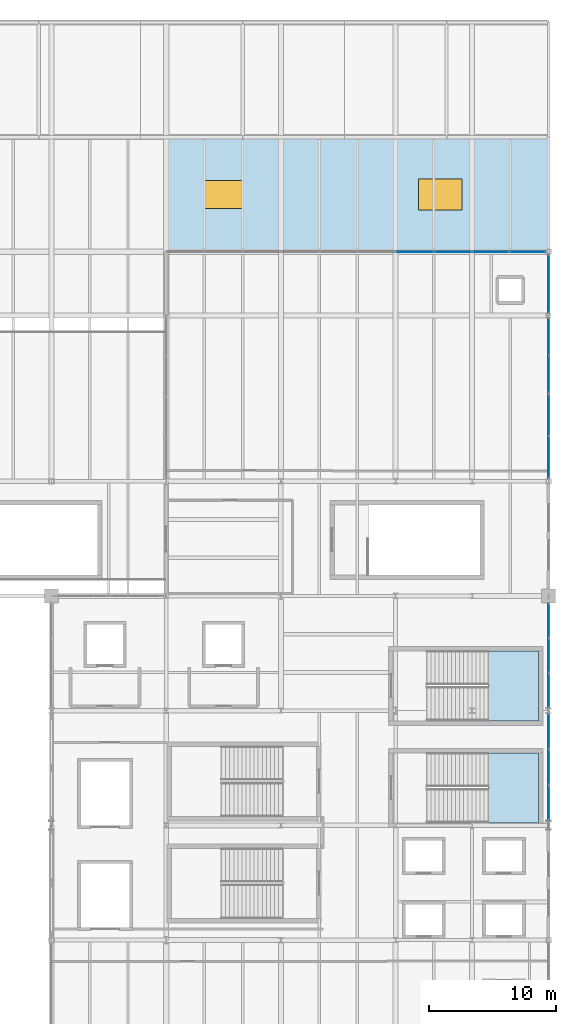
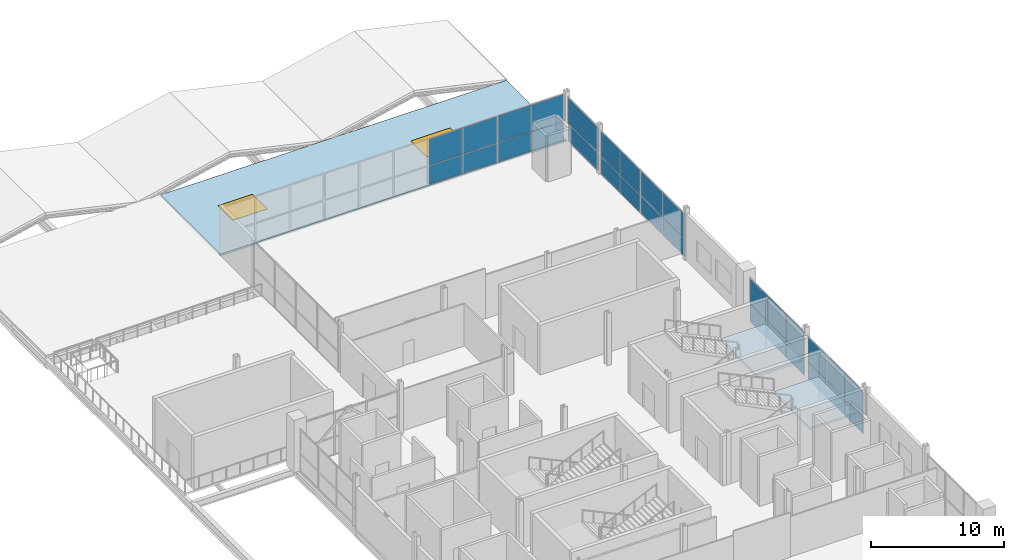
# One storey, part 36 of 50: 30 plates, 3 slabs, 2 windows, 2 openings, 9 elements without a shape of their own.
"""IFC4 building model written with IfcOpenShell, lengths in metres."""

from ifc_helpers import new_model, si_unit, direction, frame, origin, origin_2d, place, context, subcontext, project, spatial, polyline, rectangle, outline, extrude, material, layer, layer_set, type_object, element, fill, aggregate, save


model = new_model("IFC4")

# Units and contexts
model_context = context("Model", 3, precision=1e-05, world=origin(), true_north=direction((0.0, 1.0)))
body_context = subcontext(model_context, "Body", "Model", "MODEL_VIEW")
ifc_project = project(units=[si_unit("LENGTHUNIT", "METRE"), si_unit("AREAUNIT", "SQUARE_METRE"), si_unit("VOLUMEUNIT", "CUBIC_METRE"), si_unit("PLANEANGLEUNIT", "RADIAN"), si_unit("MASSUNIT", "GRAM", prefix="KILO")], contexts=[model_context])

# Site, building, storey
site_placement = place(None, origin())
site = spatial("IfcSite", under=ifc_project, at=site_placement, CompositionType="ELEMENT")
building_placement = place(site_placement, origin())
building = spatial("IfcBuilding", under=site, at=building_placement, Name="Qamarlyn Nura Convention Centre", CompositionType="ELEMENT")
storey_placement = place(building_placement, frame((0.0, 0.0, 20.39990234375)))
storey = spatial("IfcBuildingStorey", under=building, at=storey_placement, Name="L04", CompositionType="ELEMENT", Elevation=20.39990234375)

# Curtain wall, plates
ifc_material_1 = material(Name="Double-silver low-E insulated glass", Category="glass")
ifc_layer_1 = layer(ifc_material_1, 0.179931640625, Name="CW-UNIT-137")
ifc_layer_set_1 = layer_set([ifc_layer_1], Name="Double-silver low-E insulated glass")
curtain_wall_type_1 = type_object("IfcCurtainWallType", Name="CW-UNIT-137", PredefinedType="NOTDEFINED", material=ifc_layer_set_1)
curtain_wall_1_placement = place(storey_placement, origin())
curtain_wall_1 = element("IfcCurtainWall", 1, at=curtain_wall_1_placement, inside=storey, type_object=curtain_wall_type_1, Name="L04 unitised curtain wall EAST-8-1", PredefinedType="NOTDEFINED")
ifc_layer_2 = layer(ifc_material_1, 0.028076171875, Name="CWP-VIS-28")
ifc_layer_set_2 = layer_set([ifc_layer_2], Name="Double-silver low-E insulated glass")
plate_type_1 = type_object("IfcPlateType", Name="CWP-VIS-28", PredefinedType="CURTAIN_PANEL", material=ifc_layer_set_2)
plate_1_placement = place(storey_placement, frame((192.0, 70.36328125, 0.0703125), z_axis=(0.0, 0.0, 1.0), x_axis=(0.0, -1.0, 0.0)))
plate_1 = element("IfcPlate", 2, at=plate_1_placement, type_object=plate_type_1, Name="CW137 panel 1.1", PredefinedType="CURTAIN_PANEL", context=body_context, shape_type="SweptSolid", body=[
    extrude(rectangle(XDim=2.708251953125, YDim=0.028076171875, at=origin_2d()), origin(), (0.0, 0.0, 1.0), 1.577880859375),
])
plate_2_placement = place(storey_placement, frame((192.0, 70.36328125, 1.71826171875), z_axis=(0.0, 0.0, 1.0), x_axis=(0.0, -1.0, 0.0)))
plate_2 = element("IfcPlate", 3, at=plate_2_placement, type_object=plate_type_1, Name="CW137 panel 1.2", PredefinedType="CURTAIN_PANEL", context=body_context, shape_type="SweptSolid", body=[
    extrude(rectangle(XDim=2.708251953125, YDim=0.028076171875, at=origin_2d()), origin(), (0.0, 0.0, 1.0), 2.218017578125),
])
plate_3_placement = place(storey_placement, frame((192.0, 67.5673828125, 0.0703125), z_axis=(0.0, 0.0, 1.0), x_axis=(0.0, -1.0, 0.0)))
plate_3 = element("IfcPlate", 4, at=plate_3_placement, type_object=plate_type_1, Name="CW137 panel 2.1", PredefinedType="CURTAIN_PANEL", context=body_context, shape_type="SweptSolid", body=[
    extrude(rectangle(XDim=2.743408203125, YDim=0.028076171875, at=origin_2d()), origin(), (0.0, 0.0, 1.0), 1.577880859375),
])
plate_4_placement = place(storey_placement, frame((192.0, 67.5673828125, 1.71826171875), z_axis=(0.0, 0.0, 1.0), x_axis=(0.0, -1.0, 0.0)))
plate_4 = element("IfcPlate", 5, at=plate_4_placement, type_object=plate_type_1, Name="CW137 panel 2.2", PredefinedType="CURTAIN_PANEL", context=body_context, shape_type="SweptSolid", body=[
    extrude(rectangle(XDim=2.743408203125, YDim=0.028076171875, at=origin_2d()), origin(), (0.0, 0.0, 1.0), 2.218017578125),
])
plate_5_placement = place(storey_placement, frame((192.0, 64.771728515625, 0.0703125), z_axis=(0.0, 0.0, 1.0), x_axis=(0.0, -1.0, 0.0)))
plate_5 = element("IfcPlate", 6, at=plate_5_placement, type_object=plate_type_1, Name="CW137 panel 3.1", PredefinedType="CURTAIN_PANEL", context=body_context, shape_type="SweptSolid", body=[
    extrude(rectangle(XDim=2.708251953125, YDim=0.028076171875, at=origin_2d()), origin(), (0.0, 0.0, 1.0), 1.577880859375),
])
plate_6_placement = place(storey_placement, frame((192.0, 64.771728515625, 1.71826171875), z_axis=(0.0, 0.0, 1.0), x_axis=(0.0, -1.0, 0.0)))
plate_6 = element("IfcPlate", 7, at=plate_6_placement, type_object=plate_type_1, Name="CW137 panel 3.2", PredefinedType="CURTAIN_PANEL", context=body_context, shape_type="SweptSolid", body=[
    extrude(rectangle(XDim=2.708251953125, YDim=0.028076171875, at=origin_2d()), origin(), (0.0, 0.0, 1.0), 2.218017578125),
])
aggregate(curtain_wall_1, [plate_1, plate_2, plate_3, plate_4, plate_5, plate_6])

ifc_layer_3 = layer(ifc_material_1, 0.179931640625, Name="CW-UNIT-138")
ifc_layer_set_3 = layer_set([ifc_layer_3], Name="Double-silver low-E insulated glass")
curtain_wall_type_2 = type_object("IfcCurtainWallType", Name="CW-UNIT-138", PredefinedType="NOTDEFINED", material=ifc_layer_set_3)
curtain_wall_2_placement = place(storey_placement, origin())
curtain_wall_2 = element("IfcCurtainWall", 8, at=curtain_wall_2_placement, inside=storey, type_object=curtain_wall_type_2, Name="L04 unitised curtain wall EAST-11-1A", PredefinedType="NOTDEFINED")
plate_7_placement = place(storey_placement, frame((192.0, 101.336669921875, 0.06005859375), z_axis=(0.0, 0.0, 1.0), x_axis=(0.0, -1.0, 0.0)))
plate_7 = element("IfcPlate", 9, at=plate_7_placement, type_object=plate_type_1, Name="CW138 panel 1.1", PredefinedType="CURTAIN_PANEL", context=body_context, shape_type="SweptSolid", body=[
    extrude(rectangle(XDim=2.85693359375, YDim=0.028076171875, at=origin_2d()), origin(), (0.0, 0.0, 1.0), 1.593017578125),
])
plate_8_placement = place(storey_placement, frame((192.0, 101.336669921875, 1.713134765625), z_axis=(0.0, 0.0, 1.0), x_axis=(0.0, -1.0, 0.0)))
plate_8 = element("IfcPlate", 10, at=plate_8_placement, type_object=plate_type_1, Name="CW138 panel 1.2", PredefinedType="CURTAIN_PANEL", context=body_context, shape_type="SweptSolid", body=[
    extrude(rectangle(XDim=2.85693359375, YDim=0.028076171875, at=origin_2d()), origin(), (0.0, 0.0, 1.0), 2.23291015625),
])
plate_9_placement = place(storey_placement, frame((192.0, 98.419677734375, 0.06005859375), z_axis=(0.0, 0.0, 1.0), x_axis=(0.0, -1.0, 0.0)))
plate_9 = element("IfcPlate", 11, at=plate_9_placement, type_object=plate_type_1, Name="CW138 panel 2.1", PredefinedType="CURTAIN_PANEL", context=body_context, shape_type="SweptSolid", body=[
    extrude(rectangle(XDim=2.85693359375, YDim=0.028076171875, at=origin_2d()), origin(), (0.0, 0.0, 1.0), 1.593017578125),
])
plate_10_placement = place(storey_placement, frame((192.0, 98.419677734375, 1.713134765625), z_axis=(0.0, 0.0, 1.0), x_axis=(0.0, -1.0, 0.0)))
plate_10 = element("IfcPlate", 12, at=plate_10_placement, type_object=plate_type_1, Name="CW138 panel 2.2", PredefinedType="CURTAIN_PANEL", context=body_context, shape_type="SweptSolid", body=[
    extrude(rectangle(XDim=2.85693359375, YDim=0.028076171875, at=origin_2d()), origin(), (0.0, 0.0, 1.0), 2.23291015625),
])
aggregate(curtain_wall_2, [plate_7, plate_8, plate_9, plate_10])

ifc_layer_4 = layer(ifc_material_1, 0.179931640625, Name="CW-UNIT-139")
ifc_layer_set_4 = layer_set([ifc_layer_4], Name="Double-silver low-E insulated glass")
curtain_wall_type_3 = type_object("IfcCurtainWallType", Name="CW-UNIT-139", PredefinedType="NOTDEFINED", material=ifc_layer_set_4)
curtain_wall_3_placement = place(storey_placement, origin())
curtain_wall_3 = element("IfcCurtainWall", 13, at=curtain_wall_3_placement, inside=storey, type_object=curtain_wall_type_3, Name="L04 unitised curtain wall EAST-11-1B", PredefinedType="NOTDEFINED")
plate_11_placement = place(storey_placement, frame((192.0, 95.1708984375, 0.0703125), z_axis=(0.0, 0.0, 1.0), x_axis=(0.0, -1.0, 0.0)))
plate_11 = element("IfcPlate", 14, at=plate_11_placement, type_object=plate_type_1, Name="CW139 panel 1.1", PredefinedType="CURTAIN_PANEL", context=body_context, shape_type="SweptSolid", body=[
    extrude(rectangle(XDim=3.220703125, YDim=0.028076171875, at=origin_2d()), origin(), (0.0, 0.0, 1.0), 1.577880859375),
])
plate_12_placement = place(storey_placement, frame((192.0, 95.1708984375, 1.71826171875), z_axis=(0.0, 0.0, 1.0), x_axis=(0.0, -1.0, 0.0)))
plate_12 = element("IfcPlate", 15, at=plate_12_placement, type_object=plate_type_1, Name="CW139 panel 1.2", PredefinedType="CURTAIN_PANEL", context=body_context, shape_type="SweptSolid", body=[
    extrude(rectangle(XDim=3.220703125, YDim=0.028076171875, at=origin_2d()), origin(), (0.0, 0.0, 1.0), 2.218017578125),
])
plate_13_placement = place(storey_placement, frame((192.0, 91.88037109375, 0.0703125), z_axis=(0.0, 0.0, 1.0), x_axis=(0.0, -1.0, 0.0)))
plate_13 = element("IfcPlate", 16, at=plate_13_placement, type_object=plate_type_1, Name="CW139 panel 2.1", PredefinedType="CURTAIN_PANEL", context=body_context, shape_type="SweptSolid", body=[
    extrude(rectangle(XDim=3.220703125, YDim=0.028076171875, at=origin_2d()), origin(), (0.0, 0.0, 1.0), 1.577880859375),
])
plate_14_placement = place(storey_placement, frame((192.0, 91.88037109375, 1.71826171875), z_axis=(0.0, 0.0, 1.0), x_axis=(0.0, -1.0, 0.0)))
plate_14 = element("IfcPlate", 17, at=plate_14_placement, type_object=plate_type_1, Name="CW139 panel 2.2", PredefinedType="CURTAIN_PANEL", context=body_context, shape_type="SweptSolid", body=[
    extrude(rectangle(XDim=3.220703125, YDim=0.028076171875, at=origin_2d()), origin(), (0.0, 0.0, 1.0), 2.218017578125),
])
aggregate(curtain_wall_3, [plate_11, plate_12, plate_13, plate_14])

ifc_layer_5 = layer(ifc_material_1, 0.179931640625, Name="CW-UNIT-140")
ifc_layer_set_5 = layer_set([ifc_layer_5], Name="Double-silver low-E insulated glass")
curtain_wall_type_4 = type_object("IfcCurtainWallType", Name="CW-UNIT-140", PredefinedType="NOTDEFINED", material=ifc_layer_set_5)
curtain_wall_4_placement = place(storey_placement, origin())
curtain_wall_4 = element("IfcCurtainWall", 18, at=curtain_wall_4_placement, inside=storey, type_object=curtain_wall_type_4, Name="L04 unitised curtain wall EAST-12-1", PredefinedType="NOTDEFINED")
plate_15_placement = place(storey_placement, frame((192.0, 105.487548828125, 0.06494140625), z_axis=(0.0, 0.0, 1.0), x_axis=(0.0, -1.0, 0.0)))
plate_15 = element("IfcPlate", 19, at=plate_15_placement, type_object=plate_type_1, Name="CW140 panel 1.1", PredefinedType="CURTAIN_PANEL", context=body_context, shape_type="SweptSolid", body=[
    extrude(rectangle(XDim=4.4951171875, YDim=0.028076171875, at=origin_2d()), origin(), (0.0, 0.0, 1.0), 1.615478515625),
])
plate_16_placement = place(storey_placement, frame((192.0, 105.487548828125, 1.74560546875), z_axis=(0.0, 0.0, 1.0), x_axis=(0.0, -1.0, 0.0)))
plate_16 = element("IfcPlate", 20, at=plate_16_placement, type_object=plate_type_1, Name="CW140 panel 1.2", PredefinedType="CURTAIN_PANEL", context=body_context, shape_type="SweptSolid", body=[
    extrude(rectangle(XDim=4.4951171875, YDim=0.028076171875, at=origin_2d()), origin(), (0.0, 0.0, 1.0), 2.2685546875),
])
aggregate(curtain_wall_4, [plate_15, plate_16])

ifc_layer_6 = layer(ifc_material_1, 0.179931640625, Name="CW-UNIT-150")
ifc_layer_set_6 = layer_set([ifc_layer_6], Name="Double-silver low-E insulated glass")
curtain_wall_type_5 = type_object("IfcCurtainWallType", Name="CW-UNIT-150", PredefinedType="NOTDEFINED", material=ifc_layer_set_6)
curtain_wall_5_placement = place(storey_placement, origin())
curtain_wall_5 = element("IfcCurtainWall", 21, at=curtain_wall_5_placement, inside=storey, type_object=curtain_wall_type_5, Name="L04 unitised curtain wall DLN-180-1", PredefinedType="NOTDEFINED")
plate_17_placement = place(storey_placement, frame((181.517578125, 108.0, 0.070068359375), z_axis=(0.0, 0.0, 1.0), x_axis=(1.0, 0.0, 0.0)))
plate_17 = element("IfcPlate", 22, at=plate_17_placement, type_object=plate_type_1, Name="CW150 panel 1.1", PredefinedType="CURTAIN_PANEL", context=body_context, shape_type="SweptSolid", body=[
    extrude(rectangle(XDim=2.89501953125, YDim=0.028076171875, at=origin_2d()), origin(), (0.0, 0.0, 1.0), 1.705078125),
])
plate_18_placement = place(storey_placement, frame((181.517578125, 108.0, 1.844970703125), z_axis=(0.0, 0.0, 1.0), x_axis=(1.0, 0.0, 0.0)))
plate_18 = element("IfcPlate", 23, at=plate_18_placement, type_object=plate_type_1, Name="CW150 panel 1.2", PredefinedType="CURTAIN_PANEL", context=body_context, shape_type="SweptSolid", body=[
    extrude(rectangle(XDim=2.89501953125, YDim=0.028076171875, at=origin_2d()), origin(), (0.0, 0.0, 1.0), 2.39501953125),
])
plate_19_placement = place(storey_placement, frame((184.482421875, 108.0, 0.070068359375), z_axis=(0.0, 0.0, 1.0), x_axis=(1.0, 0.0, 0.0)))
plate_19 = element("IfcPlate", 24, at=plate_19_placement, type_object=plate_type_1, Name="CW150 panel 2.1", PredefinedType="CURTAIN_PANEL", context=body_context, shape_type="SweptSolid", body=[
    extrude(rectangle(XDim=2.89501953125, YDim=0.028076171875, at=origin_2d()), origin(), (0.0, 0.0, 1.0), 1.705078125),
])
plate_20_placement = place(storey_placement, frame((184.482421875, 108.0, 1.844970703125), z_axis=(0.0, 0.0, 1.0), x_axis=(1.0, 0.0, 0.0)))
plate_20 = element("IfcPlate", 25, at=plate_20_placement, type_object=plate_type_1, Name="CW150 panel 2.2", PredefinedType="CURTAIN_PANEL", context=body_context, shape_type="SweptSolid", body=[
    extrude(rectangle(XDim=2.89501953125, YDim=0.028076171875, at=origin_2d()), origin(), (0.0, 0.0, 1.0), 2.39501953125),
])
aggregate(curtain_wall_5, [plate_17, plate_18, plate_19, plate_20])

ifc_layer_7 = layer(ifc_material_1, 0.179931640625, Name="CW-UNIT-151")
ifc_layer_set_7 = layer_set([ifc_layer_7], Name="Double-silver low-E insulated glass")
curtain_wall_type_6 = type_object("IfcCurtainWallType", Name="CW-UNIT-151", PredefinedType="NOTDEFINED", material=ifc_layer_set_7)
curtain_wall_6_placement = place(storey_placement, origin())
curtain_wall_6 = element("IfcCurtainWall", 26, at=curtain_wall_6_placement, inside=storey, type_object=curtain_wall_type_6, Name="L04 unitised curtain wall DLN-186-1", PredefinedType="NOTDEFINED")
plate_21_placement = place(storey_placement, frame((187.46630859375, 108.0, 0.065185546875), z_axis=(0.0, 0.0, 1.0), x_axis=(1.0, 0.0, 0.0)))
plate_21 = element("IfcPlate", 27, at=plate_21_placement, type_object=plate_type_1, Name="CW151 panel 1.1", PredefinedType="CURTAIN_PANEL", context=body_context, shape_type="SweptSolid", body=[
    extrude(rectangle(XDim=2.802490234375, YDim=0.028076171875, at=origin_2d()), origin(), (0.0, 0.0, 1.0), 1.71240234375),
])
plate_22_placement = place(storey_placement, frame((187.46630859375, 108.0, 1.8427734375), z_axis=(0.0, 0.0, 1.0), x_axis=(1.0, 0.0, 0.0)))
plate_22 = element("IfcPlate", 28, at=plate_22_placement, type_object=plate_type_1, Name="CW151 panel 1.2", PredefinedType="CURTAIN_PANEL", context=body_context, shape_type="SweptSolid", body=[
    extrude(rectangle(XDim=2.802490234375, YDim=0.028076171875, at=origin_2d()), origin(), (0.0, 0.0, 1.0), 2.402587890625),
])
plate_23_placement = place(storey_placement, frame((190.333740234375, 108.0, 0.065185546875), z_axis=(0.0, 0.0, 1.0), x_axis=(1.0, 0.0, 0.0)))
plate_23 = element("IfcPlate", 29, at=plate_23_placement, type_object=plate_type_1, Name="CW151 panel 2.1", PredefinedType="CURTAIN_PANEL", context=body_context, shape_type="SweptSolid", body=[
    extrude(rectangle(XDim=2.802490234375, YDim=0.028076171875, at=origin_2d()), origin(), (0.0, 0.0, 1.0), 1.71240234375),
])
plate_24_placement = place(storey_placement, frame((190.333740234375, 108.0, 1.8427734375), z_axis=(0.0, 0.0, 1.0), x_axis=(1.0, 0.0, 0.0)))
plate_24 = element("IfcPlate", 30, at=plate_24_placement, type_object=plate_type_1, Name="CW151 panel 2.2", PredefinedType="CURTAIN_PANEL", context=body_context, shape_type="SweptSolid", body=[
    extrude(rectangle(XDim=2.802490234375, YDim=0.028076171875, at=origin_2d()), origin(), (0.0, 0.0, 1.0), 2.402587890625),
])
aggregate(curtain_wall_6, [plate_21, plate_22, plate_23, plate_24])

ifc_layer_8 = layer(ifc_material_1, 0.179931640625, Name="CW-UNIT-136")
ifc_layer_set_8 = layer_set([ifc_layer_8], Name="Double-silver low-E insulated glass")
curtain_wall_type_7 = type_object("IfcCurtainWallType", Name="CW-UNIT-136", PredefinedType="NOTDEFINED", material=ifc_layer_set_8)
curtain_wall_7_placement = place(storey_placement, origin())
curtain_wall_7 = element("IfcCurtainWall", 31, at=curtain_wall_7_placement, inside=storey, type_object=curtain_wall_type_7, Name="L04 unitised curtain wall EAST-9-1", PredefinedType="NOTDEFINED")
ifc_layer_9 = layer(ifc_material_1, 0.031982421875, Name="CWP-VIS-32")
ifc_layer_set_9 = layer_set([ifc_layer_9], Name="Double-silver low-E insulated glass")
plate_type_2 = type_object("IfcPlateType", Name="CWP-VIS-32", PredefinedType="CURTAIN_PANEL", material=ifc_layer_set_9)
plate_25_placement = place(storey_placement, frame((192.0, 79.060791015625, 0.06494140625), z_axis=(0.0, 0.0, 1.0), x_axis=(0.0, -1.0, 0.0)))
plate_25 = element("IfcPlate", 32, at=plate_25_placement, type_object=plate_type_2, Name="CW136 panel 1.1", PredefinedType="CURTAIN_PANEL", context=body_context, shape_type="SweptSolid", body=[
    extrude(rectangle(XDim=2.6484375, YDim=0.031982421875, at=origin_2d()), origin(), (0.0, 0.0, 1.0), 1.615478515625),
])
plate_26_placement = place(storey_placement, frame((192.0, 79.060791015625, 1.74560546875), z_axis=(0.0, 0.0, 1.0), x_axis=(0.0, -1.0, 0.0)))
plate_26 = element("IfcPlate", 33, at=plate_26_placement, type_object=plate_type_2, Name="CW136 panel 1.2", PredefinedType="CURTAIN_PANEL", context=body_context, shape_type="SweptSolid", body=[
    extrude(rectangle(XDim=2.6484375, YDim=0.031982421875, at=origin_2d()), origin(), (0.0, 0.0, 1.0), 2.2685546875),
])
plate_27_placement = place(storey_placement, frame((192.0, 76.331298828125, 0.06494140625), z_axis=(0.0, 0.0, 1.0), x_axis=(0.0, -1.0, 0.0)))
plate_27 = element("IfcPlate", 34, at=plate_27_placement, type_object=plate_type_2, Name="CW136 panel 2.1", PredefinedType="CURTAIN_PANEL", context=body_context, shape_type="SweptSolid", body=[
    extrude(rectangle(XDim=2.680908203125, YDim=0.031982421875, at=origin_2d()), origin(), (0.0, 0.0, 1.0), 1.615478515625),
])
plate_28_placement = place(storey_placement, frame((192.0, 76.331298828125, 1.74560546875), z_axis=(0.0, 0.0, 1.0), x_axis=(0.0, -1.0, 0.0)))
plate_28 = element("IfcPlate", 35, at=plate_28_placement, type_object=plate_type_2, Name="CW136 panel 2.2", PredefinedType="CURTAIN_PANEL", context=body_context, shape_type="SweptSolid", body=[
    extrude(rectangle(XDim=2.680908203125, YDim=0.031982421875, at=origin_2d()), origin(), (0.0, 0.0, 1.0), 2.2685546875),
])
plate_29_placement = place(storey_placement, frame((192.0, 73.6015625, 0.06494140625), z_axis=(0.0, 0.0, 1.0), x_axis=(0.0, -1.0, 0.0)))
plate_29 = element("IfcPlate", 36, at=plate_29_placement, type_object=plate_type_2, Name="CW136 panel 3.1", PredefinedType="CURTAIN_PANEL", context=body_context, shape_type="SweptSolid", body=[
    extrude(rectangle(XDim=2.6484375, YDim=0.031982421875, at=origin_2d()), origin(), (0.0, 0.0, 1.0), 1.615478515625),
])
plate_30_placement = place(storey_placement, frame((192.0, 73.6015625, 1.74560546875), z_axis=(0.0, 0.0, 1.0), x_axis=(0.0, -1.0, 0.0)))
plate_30 = element("IfcPlate", 37, at=plate_30_placement, type_object=plate_type_2, Name="CW136 panel 3.2", PredefinedType="CURTAIN_PANEL", context=body_context, shape_type="SweptSolid", body=[
    extrude(rectangle(XDim=2.6484375, YDim=0.031982421875, at=origin_2d()), origin(), (0.0, 0.0, 1.0), 2.2685546875),
])
aggregate(curtain_wall_7, [plate_25, plate_26, plate_27, plate_28, plate_29, plate_30])

# Slab, openings, windows
ifc_material_2 = material(Name="Concrete C40/50", Category="concrete")
ifc_layer_10 = layer(ifc_material_2, 0.159912109375, Name="RF-L04")
ifc_layer_set_10 = layer_set([ifc_layer_10], Name="Concrete C40/50")
slab_type_1 = type_object("IfcSlabType", Name="RF-L04", PredefinedType="ROOF", material=ifc_layer_set_10)
slab_1_placement = place(storey_placement, frame((0.0, 0.0, -0.159912109375)))
slab_1 = element("IfcSlab", 38, at=slab_1_placement, inside=storey, type_object=slab_type_1, Name="L04 flat roof deck R-L04-CG2", PredefinedType="ROOF", context=body_context, shape_type="SweptSolid", body=[
    extrude(outline(polyline([(192.0, 108.0), (192.0, 117.0), (162.0, 117.0), (162.0, 108.0), (192.0, 108.0)])), origin(), (0.0, 0.0, 1.0), 0.159912109375),
])
opening_1_placement = place(slab_1_placement, frame((166.5, 112.5, 0.0)))
opening_1 = element("IfcOpeningElement", 39, at=opening_1_placement, cuts=slab_1, Name="Opening SK03", PredefinedType="OPENING", context=body_context, shape_type="SweptSolid", body=[
    extrude(rectangle(XDim=3.0, YDim=2.199951171875, at=origin_2d()), frame((0.0, 0.0, -0.010009765625)), (0.0, 0.0, 1.0), 0.179931640625),
])
opening_2_placement = place(slab_1_placement, frame((183.5, 112.5, 0.0)))
opening_2 = element("IfcOpeningElement", 40, at=opening_2_placement, cuts=slab_1, Name="Opening SK04", PredefinedType="OPENING", context=body_context, shape_type="SweptSolid", body=[
    extrude(rectangle(XDim=3.39990234375, YDim=2.39990234375, at=origin_2d()), frame((0.0, 0.0, -0.010009765625)), (0.0, 0.0, 1.0), 0.179931640625),
])
ifc_material_3 = material(Name="Laminated solar-control skylight glass", Category="glass")
window_type_1 = type_object("IfcWindowType", Name="SKY-MOD-03", PartitioningType="SINGLE_PANEL", PredefinedType="SKYLIGHT", material=ifc_material_3)
window_1_placement = place(opening_1_placement, frame((0.0, 0.0, 0.10986328125)))
window_1 = element("IfcWindow", 41, at=window_1_placement, inside=storey, type_object=window_type_1, Name="L04 modular roof skylight 21", OverallHeight=2.199951171875, OverallWidth=3.0, PartitioningType="SINGLE_PANEL", PredefinedType="SKYLIGHT", context=body_context, shape_type="SweptSolid", body=[
    extrude(rectangle(XDim=3.0, YDim=2.199951171875, at=origin_2d()), origin(), (0.0, 0.0, 1.0), 0.050048828125),
])
fill(opening_1, window_1)
window_type_2 = type_object("IfcWindowType", Name="SKY-MOD-04", PartitioningType="SINGLE_PANEL", PredefinedType="SKYLIGHT", material=ifc_material_3)
window_2_placement = place(opening_2_placement, frame((0.0, 0.0, 0.10986328125)))
window_2 = element("IfcWindow", 42, at=window_2_placement, inside=storey, type_object=window_type_2, Name="L04 modular roof skylight 22", OverallHeight=2.39990234375, OverallWidth=3.39990234375, PartitioningType="SINGLE_PANEL", PredefinedType="SKYLIGHT", context=body_context, shape_type="SweptSolid", body=[
    extrude(rectangle(XDim=3.39990234375, YDim=2.39990234375, at=origin_2d()), origin(), (0.0, 0.0, 1.0), 0.050048828125),
])
fill(opening_2, window_2)

# Stair, slab
stair_type = type_object("IfcStairType", Name="STAIR-EXIT-48", PredefinedType="HALF_TURN_STAIR", material=ifc_material_2)
stair_1_placement = place(storey_placement, origin())
stair_1 = element("IfcStair", 43, at=stair_1_placement, inside=storey, type_object=stair_type, Name="L04 Enclosed exit stair ST-13", PredefinedType="HALF_TURN_STAIR")
ifc_layer_11 = layer(ifc_material_2, 0.199951171875, Name="SL-LAND-200")
ifc_layer_set_11 = layer_set([ifc_layer_11], Name="Concrete C40/50")
slab_type_2 = type_object("IfcSlabType", Name="SL-LAND-200", PredefinedType="LANDING", material=ifc_layer_set_11)
slab_2_placement = place(storey_placement, frame((0.0, 0.0, 2.2001953125)))
slab_2 = element("IfcSlab", 44, at=slab_2_placement, type_object=slab_type_2, Name="ST-13 landing 1", PredefinedType="LANDING", context=body_context, shape_type="SweptSolid", body=[
    extrude(outline(polyline([(187.260009765625, 63.199951171875), (191.199951171875, 63.199951171875), (191.199951171875, 68.699951171875), (187.260009765625, 68.699951171875), (187.260009765625, 63.199951171875)])), origin(), (0.0, 0.0, 1.0), 0.199951171875),
])
aggregate(stair_1, [slab_2])

stair_2_placement = place(storey_placement, origin())
stair_2 = element("IfcStair", 45, at=stair_2_placement, inside=storey, type_object=stair_type, Name="L04 Enclosed exit stair ST-14", PredefinedType="HALF_TURN_STAIR")
slab_3_placement = place(storey_placement, frame((0.0, 0.0, 2.2001953125)))
slab_3 = element("IfcSlab", 46, at=slab_3_placement, type_object=slab_type_2, Name="ST-14 landing 1", PredefinedType="LANDING", context=body_context, shape_type="SweptSolid", body=[
    extrude(outline(polyline([(187.260009765625, 71.199951171875), (191.199951171875, 71.199951171875), (191.199951171875, 76.699951171875), (187.260009765625, 76.699951171875), (187.260009765625, 71.199951171875)])), origin(), (0.0, 0.0, 1.0), 0.199951171875),
])
aggregate(stair_2, [slab_3])

save(model, "model.ifc")
